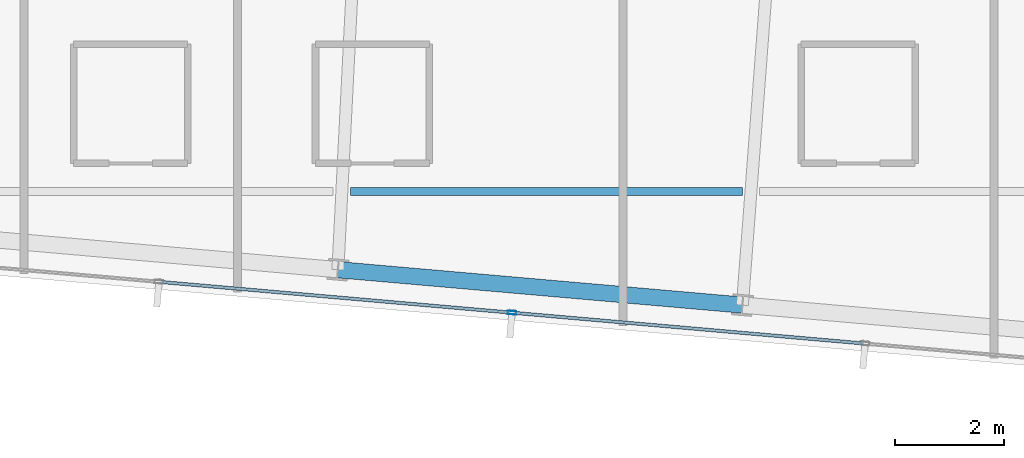
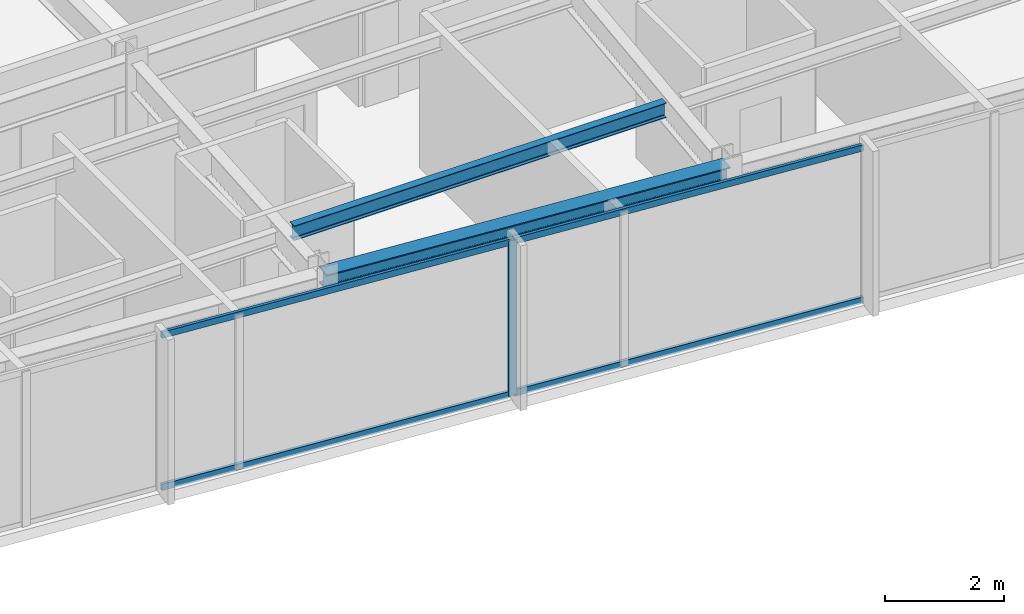
# One storey, part 7 of 33: 5 members, 2 beams, 1 element without a shape of its own.
"""IFC4 building model written with IfcOpenShell, lengths in metres."""

from ifc_helpers import new_model, si_unit, direction, frame, origin, origin_2d, place, context, subcontext, project, spatial, hollow_rectangle, i_section, extrude, material, material_profile, profile_set, type_object, element, aggregate, save


model = new_model("IFC4")

# Units and contexts
model_context = context("Model", 3, precision=1e-05, world=origin(), true_north=direction((0.0, 1.0)))
body_context = subcontext(model_context, "Body", "Model", "MODEL_VIEW")
ifc_project = project(units=[si_unit("LENGTHUNIT", "METRE"), si_unit("AREAUNIT", "SQUARE_METRE"), si_unit("VOLUMEUNIT", "CUBIC_METRE"), si_unit("PLANEANGLEUNIT", "RADIAN"), si_unit("MASSUNIT", "GRAM", prefix="KILO")], contexts=[model_context])

# Site, building, storey
site_placement = place(None, origin())
site = spatial("IfcSite", under=ifc_project, at=site_placement, CompositionType="ELEMENT")
building_placement = place(site_placement, origin())
building = spatial("IfcBuilding", under=site, at=building_placement, Name="Yelkora Congress Tower", CompositionType="ELEMENT")
storey_placement = place(building_placement, frame((0.0, 0.0, 282.89990234375)))
storey = spatial("IfcBuildingStorey", under=building, at=storey_placement, Name="L79", CompositionType="ELEMENT", Elevation=282.89990234375)

# Beams
ifc_material_1 = material(Name="Steel S355J2", Category="steel")
ifc_material_profile_1 = material_profile(ifc_material_1, i_section(OverallWidth=0.14990234375, OverallDepth=0.300048828125, WebThickness=0.007080078125, FlangeThickness=0.0107421875, FilletRadius=0.014892578125, at=origin_2d()), Name="IPE 300")
ifc_profile_set_1 = profile_set([ifc_material_profile_1], Name="Steel S355J2")
beam_type_1 = type_object("IfcBeamType", Name="BM-JOIST-IPE300", PredefinedType="JOIST", material=ifc_profile_set_1)
beam_1_placement = place(storey_placement, frame((30.595703125, 19.58447265625, 3.030029296875), z_axis=(1.0, 0.0, 0.0), x_axis=(0.0, 1.0, 0.0)))
element("IfcBeam", 1, at=beam_1_placement, inside=storey, type_object=beam_type_1, Name="L79 Composite Floor Joist 2", PredefinedType="JOIST", context=body_context, shape_type="SweptSolid", body=[
    extrude(i_section(OverallWidth=0.14990234375, OverallDepth=0.300048828125, WebThickness=0.007080078125, FlangeThickness=0.0107421875, FilletRadius=0.014892578125, at=origin_2d()), origin(), (0.0, 0.0, 1.0), 7.219970703125),
])
ifc_material_profile_2 = material_profile(ifc_material_1, i_section(OverallWidth=0.300048828125, OverallDepth=0.340087890625, WebThickness=0.011962890625, FlangeThickness=0.021484375, FilletRadius=0.027099609375, at=origin_2d()), Name="HEB 340")
ifc_profile_set_2 = profile_set([ifc_material_profile_2], Name="Steel S355J2")
beam_type_2 = type_object("IfcBeamType", Name="BM-SPAN-HEB340", PredefinedType="SPANDREL", material=ifc_profile_set_2)
beam_2_placement = place(storey_placement, frame((30.362548828125, 18.14111328125, 3.010009765625), z_axis=(0.99619601894, -0.087140644067, 0.0), x_axis=(0.087140644067, 0.99619601894, 0.0)))
element("IfcBeam", 2, at=beam_2_placement, inside=storey, type_object=beam_type_2, Name="L79 Perimeter Beam 4", PredefinedType="SPANDREL", context=body_context, shape_type="SweptSolid", body=[
    extrude(i_section(OverallWidth=0.300048828125, OverallDepth=0.340087890625, WebThickness=0.011962890625, FlangeThickness=0.021484375, FilletRadius=0.027099609375, at=origin_2d()), origin(), (0.0, 0.0, 1.0), 7.4833984375),
])

# Curtain wall, members
ifc_material_2 = material(Name="Anodised aluminium and insulated glass", Category="aluminium")
curtain_wall_type = type_object("IfcCurtainWallType", Name="CW-SYS-B5", PredefinedType="NOTDEFINED", material=ifc_material_2)
curtain_wall_placement = place(storey_placement, origin())
curtain_wall = element("IfcCurtainWall", 3, at=curtain_wall_placement, inside=storey, type_object=curtain_wall_type, Name="L79 Unitised Curtain Wall 20", PredefinedType="NOTDEFINED")
ifc_material_3 = material(Name="Anodised aluminium 6063-T6", Category="aluminium")
ifc_material_profile_3 = material_profile(ifc_material_3, hollow_rectangle(XDim=0.06494140625, YDim=0.159912109375, WallThickness=0.00390625, at=origin_2d()), Name="ALU 65x160x4")
ifc_profile_set_3 = profile_set([ifc_material_profile_3], Name="Anodised aluminium 6063-T6")
member_type_1 = type_object("IfcMemberType", Name="MEM-ML-B5", PredefinedType="MULLION", material=ifc_profile_set_3)
member_1_placement = place(storey_placement, frame((33.571533203125, 17.348388671875, 0.0), z_axis=(0.0, 0.0, 1.0), x_axis=(-0.087156829793, -0.996194602987, 0.0)))
member_1 = element("IfcMember", 4, at=member_1_placement, type_object=member_type_1, Name="CW-B5 mullion 4", PredefinedType="MULLION", context=body_context, shape_type="SweptSolid", body=[
    extrude(hollow_rectangle(XDim=0.06494140625, YDim=0.159912109375, WallThickness=0.00390625, at=origin_2d()), origin(), (0.0, 0.0, 1.0), 3.18017578125),
])
ifc_material_profile_4 = material_profile(ifc_material_3, hollow_rectangle(XDim=0.06005859375, YDim=0.1298828125, WallThickness=0.00390625, at=origin_2d()), Name="ALU 60x130x4")
ifc_profile_set_4 = profile_set([ifc_material_profile_4], Name="Anodised aluminium 6063-T6")
member_type_2 = type_object("IfcMemberType", Name="MEM-TR-B5", PredefinedType="USERDEFINED", material=ifc_profile_set_4)
member_2_placement = place(storey_placement, frame((40.045654296875, 16.781982421875, 0.030029296875), z_axis=(-0.996192979814, 0.08717538052, 0.0), x_axis=(-0.08717538052, -0.996192979814, 0.0)))
member_2 = element("IfcMember", 5, at=member_2_placement, type_object=member_type_2, Name="CW-B5 transom 3.1", ObjectType="TRANSOM", PredefinedType="USERDEFINED", context=body_context, shape_type="SweptSolid", body=[
    extrude(hollow_rectangle(XDim=0.06005859375, YDim=0.1298828125, WallThickness=0.00390625, at=origin_2d()), origin(), (0.0, 0.0, 1.0), 6.466552734375),
])
member_3_placement = place(storey_placement, frame((40.045654296875, 16.781982421875, 3.150146484375), z_axis=(-0.996192979814, 0.08717538052, 0.0), x_axis=(-0.08717538052, -0.996192979814, 0.0)))
member_3 = element("IfcMember", 6, at=member_3_placement, type_object=member_type_2, Name="CW-B5 transom 3.2", ObjectType="TRANSOM", PredefinedType="USERDEFINED", context=body_context, shape_type="SweptSolid", body=[
    extrude(hollow_rectangle(XDim=0.06005859375, YDim=0.1298828125, WallThickness=0.00390625, at=origin_2d()), origin(), (0.0, 0.0, 1.0), 6.466552734375),
])
member_4_placement = place(storey_placement, frame((33.5390625, 17.351318359375, 0.030029296875), z_axis=(-0.996196257862, 0.087137912649, 0.0), x_axis=(-0.087137912649, -0.996196257862, 0.0)))
member_4 = element("IfcMember", 7, at=member_4_placement, type_object=member_type_2, Name="CW-B5 transom 4.1", ObjectType="TRANSOM", PredefinedType="USERDEFINED", context=body_context, shape_type="SweptSolid", body=[
    extrude(hollow_rectangle(XDim=0.06005859375, YDim=0.1298828125, WallThickness=0.00390625, at=origin_2d()), origin(), (0.0, 0.0, 1.0), 6.466552734375),
])
member_5_placement = place(storey_placement, frame((33.5390625, 17.351318359375, 3.150146484375), z_axis=(-0.996196257862, 0.087137912649, 0.0), x_axis=(-0.087137912649, -0.996196257862, 0.0)))
member_5 = element("IfcMember", 8, at=member_5_placement, type_object=member_type_2, Name="CW-B5 transom 4.2", ObjectType="TRANSOM", PredefinedType="USERDEFINED", context=body_context, shape_type="SweptSolid", body=[
    extrude(hollow_rectangle(XDim=0.06005859375, YDim=0.1298828125, WallThickness=0.00390625, at=origin_2d()), origin(), (0.0, 0.0, 1.0), 6.466552734375),
])
aggregate(curtain_wall, [member_1, member_2, member_3, member_4, member_5])

save(model, "model.ifc")
